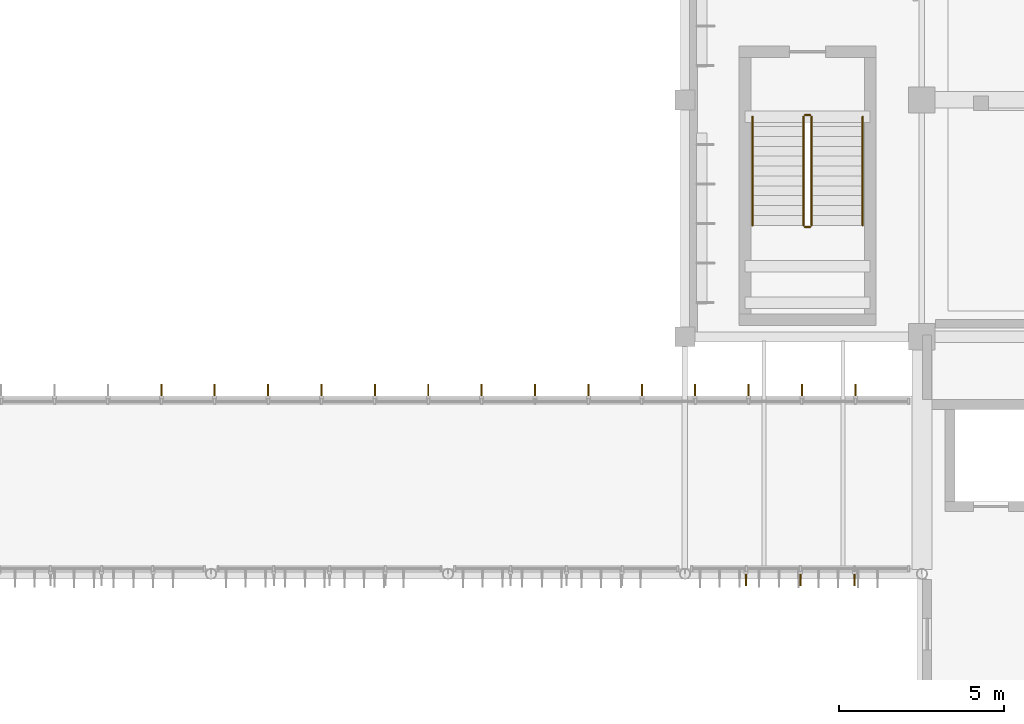
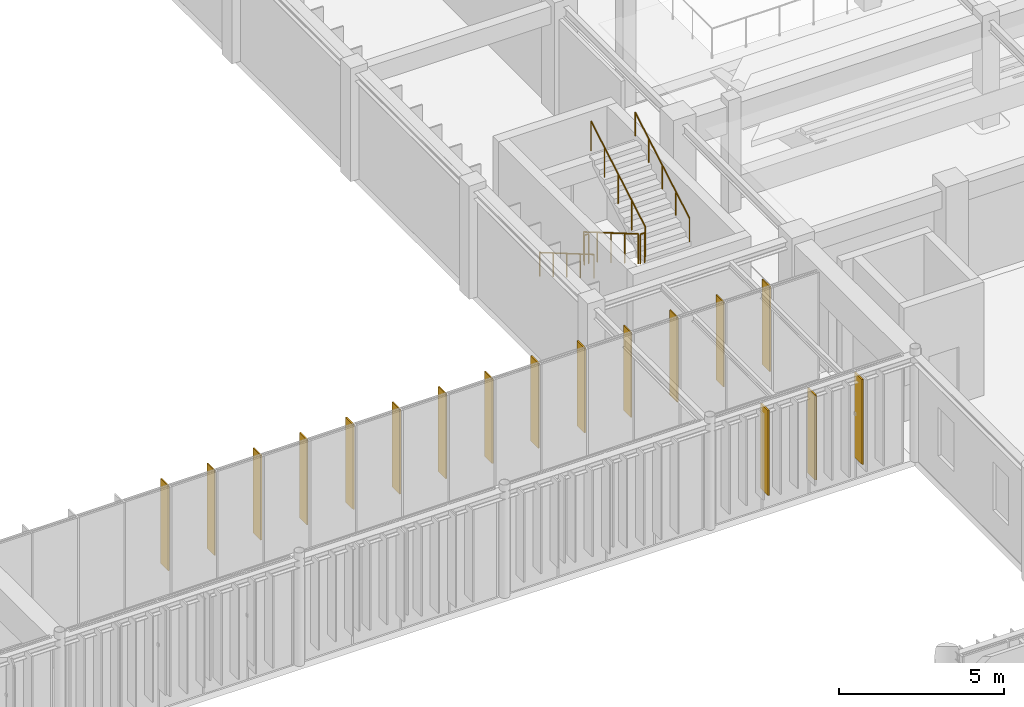
# One storey, part 108 of 122: 17 shading devices, 6 railings.
"""IFC4 building model written with IfcOpenShell, lengths in metres."""

from ifc_helpers import new_model, si_unit, direction, frame, origin, origin_2d, place, context, subcontext, project, spatial, rectangle, circle, extrude, material, layer, layer_set, material_profile, profile_set, type_object, element, save


model = new_model("IFC4")

# Units and contexts
model_context = context("Model", 3, precision=1e-05, world=origin(), true_north=direction((0.0, 1.0)))
body_context = subcontext(model_context, "Body", "Model", "MODEL_VIEW")
ifc_project = project(units=[si_unit("LENGTHUNIT", "METRE"), si_unit("AREAUNIT", "SQUARE_METRE"), si_unit("VOLUMEUNIT", "CUBIC_METRE"), si_unit("PLANEANGLEUNIT", "RADIAN"), si_unit("MASSUNIT", "GRAM", prefix="KILO")], contexts=[model_context])

# Site, building, storey
site_placement = place(None, origin())
site = spatial("IfcSite", under=ifc_project, at=site_placement, CompositionType="ELEMENT")
building_placement = place(site_placement, origin())
building = spatial("IfcBuilding", under=site, at=building_placement, Name="Tazoul Stagehouse", CompositionType="ELEMENT")
storey_placement = place(building_placement, frame((0.0, 0.0, 4.800048828125)))
storey = spatial("IfcBuildingStorey", under=building, at=storey_placement, Name="L01", CompositionType="ELEMENT", Elevation=4.800048828125)

# Shading devices
ifc_material_1 = material(Name="Anodised Bronze Aluminium 6063-T6", Category="aluminium")
ifc_layer_1 = layer(ifc_material_1, 0.050048828125, Name="Anodised Bronze Aluminium 6063-T6")
ifc_layer_set_1 = layer_set([ifc_layer_1], Name="Anodised Bronze Aluminium 6063-T6")
shading_device_type_1 = type_object("IfcShadingDeviceType", Name="Angled Acoustic Sun-Screen Blade 460", PredefinedType="USERDEFINED", material=ifc_layer_set_1)
for number, where, z_axis, x_axis, name in (
    (1, (52.259033203125, 44.469970703125, 0.75), (0.0, 0.0, 1.0), (1.0, 0.0, 0.0), "Shading Louvre FIN-02 CW-WLNK-S-L01-B4-SHD01"),
    (2, (55.552978515625, 44.469970703125, 0.75), (0.0, 0.0, 1.0), (1.0, 0.0, 0.0), "Shading Louvre FIN-02 CW-WLNK-S-L01-B4-SHD03"),
    (3, (36.111083984375, 50.1298828125, 0.75), (0.0, 0.0, 1.0), (1.0, 0.0, 0.0), "Shading Louvre FIN-02 CW-WLNK-N-L01-SHD05"),
    (4, (39.355712890625, 50.1298828125, 0.75), (0.0, 0.0, 1.0), (1.0, 0.0, 0.0), "Shading Louvre FIN-02 CW-WLNK-N-L01-SHD07"),
    (5, (42.60009765625, 50.1298828125, 0.75), (0.0, 0.0, 1.0), (1.0, 0.0, 0.0), "Shading Louvre FIN-02 CW-WLNK-N-L01-SHD09"),
    (6, (45.844482421875, 50.1298828125, 0.75), (0.0, 0.0, 1.0), (1.0, 0.0, 0.0), "Shading Louvre FIN-02 CW-WLNK-N-L01-SHD11"),
    (7, (49.0888671875, 50.1298828125, 0.75), (0.0, 0.0, 1.0), (1.0, 0.0, 0.0), "Shading Louvre FIN-02 CW-WLNK-N-L01-SHD13"),
    (8, (52.333251953125, 50.1298828125, 0.75), (0.0, 0.0, 1.0), (1.0, 0.0, 0.0), "Shading Louvre FIN-02 CW-WLNK-N-L01-SHD15"),
    (9, (55.577880859375, 50.1298828125, 0.75), (0.0, 0.0, 1.0), (1.0, 0.0, 0.0), "Shading Louvre FIN-02 CW-WLNK-N-L01-SHD17"),
):
    element("IfcShadingDevice", number, at=place(storey_placement, frame(where, z_axis=z_axis, x_axis=x_axis)), inside=storey, type_object=shading_device_type_1, Name=name, ObjectType="FIN", PredefinedType="USERDEFINED", context=body_context, shape_type="SweptSolid", body=[
        extrude(rectangle(XDim=0.044921875, YDim=0.4599609375, at=origin_2d()), origin(), (0.0, 0.0, 1.0), 3.14990234375),
    ])

# Railings
ifc_material_2 = material(Name="Brushed Stainless Steel 316L", Category="steel")
ifc_material_profile_1 = material_profile(ifc_material_2, circle(Radius=0.02392578125, at=origin_2d()), Name="SS RAIL D48")
ifc_profile_set_1 = profile_set([ifc_material_profile_1], Name="Brushed Stainless Steel 316L")
railing_type_1 = type_object("IfcRailingType", Name="Architectural Guardrail H1120", PredefinedType="GUARDRAIL", material=ifc_profile_set_1)
railing_1_placement = place(storey_placement, frame((54.0, 58.489990234375, 0.175048828125)))
element("IfcRailing", 10, at=railing_1_placement, inside=storey, type_object=railing_type_1, Name="L01 ST-05 stair guard 1", PredefinedType="GUARDRAIL", context=body_context, shape_type="SweptSolid", body=[
    extrude(circle(Radius=0.02392578125, at=origin_2d()), frame((0.0, 0.0, 1.09619140625), z_axis=(0.0, -0.863804395585, 0.503827317807), x_axis=(1.0, 0.0, 0.0)), (0.0, 0.0, 1.0), 3.8203125),
    extrude(circle(Radius=0.02099609375, at=origin_2d()), origin(), (0.0, 0.0, 1.0), 1.072021484375),
    extrude(circle(Radius=0.02099609375, at=origin_2d()), frame((0.0, -0.824951171875, 0.481201171875)), (0.0, 0.0, 1.0), 1.072021484375),
    extrude(circle(Radius=0.02099609375, at=origin_2d()), frame((0.0, -1.64990234375, 0.96240234375)), (0.0, 0.0, 1.0), 1.072021484375),
    extrude(circle(Radius=0.02099609375, at=origin_2d()), frame((0.0, -2.47509765625, 1.443603515625)), (0.0, 0.0, 1.0), 1.072021484375),
    extrude(circle(Radius=0.02099609375, at=origin_2d()), frame((0.0, -3.300048828125, 1.9248046875)), (0.0, 0.0, 1.0), 1.072021484375),
])
railing_2_placement = place(storey_placement, frame((54.050048828125, 55.139892578125, 2.099853515625)))
element("IfcRailing", 11, at=railing_2_placement, inside=storey, type_object=railing_type_1, Name="L01 ST-05 stair guard 2", PredefinedType="GUARDRAIL", context=body_context, shape_type="SweptSolid", body=[
    extrude(circle(Radius=0.02392578125, at=origin_2d()), frame((0.0, 0.0, 1.09619140625), z_axis=(1.0, 0.0, 0.0), x_axis=(0.0, 1.0, 0.0)), (0.0, 0.0, 1.0), 0.14990234375),
    extrude(circle(Radius=0.02099609375, at=origin_2d()), origin(), (0.0, 0.0, 1.0), 1.072021484375),
    extrude(circle(Radius=0.02099609375, at=origin_2d()), frame((0.14990234375, 0.0, 0.0)), (0.0, 0.0, 1.0), 1.072021484375),
])
railing_3_placement = place(storey_placement, frame((54.25, 55.18994140625, 2.27490234375)))
element("IfcRailing", 12, at=railing_3_placement, inside=storey, type_object=railing_type_1, Name="L01 ST-05 stair guard 3", PredefinedType="GUARDRAIL", context=body_context, shape_type="SweptSolid", body=[
    extrude(circle(Radius=0.02392578125, at=origin_2d()), frame((0.0, 0.0, 1.09619140625), z_axis=(0.0, 0.863776583165, 0.503874998761), x_axis=(-1.0, 0.0, 0.0)), (0.0, 0.0, 1.0), 3.820556640625),
    extrude(circle(Radius=0.02099609375, at=origin_2d()), origin(), (0.0, 0.0, 1.0), 1.072021484375),
    extrude(circle(Radius=0.02099609375, at=origin_2d()), frame((0.0, 0.824951171875, 0.481201171875)), (0.0, 0.0, 1.0), 1.072021484375),
    extrude(circle(Radius=0.02099609375, at=origin_2d()), frame((0.0, 1.64990234375, 0.96240234375)), (0.0, 0.0, 1.0), 1.072021484375),
    extrude(circle(Radius=0.02099609375, at=origin_2d()), frame((0.0, 2.47509765625, 1.44384765625)), (0.0, 0.0, 1.0), 1.072021484375),
    extrude(circle(Radius=0.02099609375, at=origin_2d()), frame((0.0, 3.300048828125, 1.925048828125)), (0.0, 0.0, 1.0), 1.072021484375),
])
railing_4_placement = place(storey_placement, frame((54.050048828125, 58.5400390625, 0.0)))
element("IfcRailing", 13, at=railing_4_placement, inside=storey, type_object=railing_type_1, Name="L01 ST-05 stair guard 4", PredefinedType="GUARDRAIL", context=body_context, shape_type="SweptSolid", body=[
    extrude(circle(Radius=0.02392578125, at=origin_2d()), frame((0.0, 0.0, 1.09619140625), z_axis=(1.0, 0.0, 0.0), x_axis=(0.0, 1.0, 0.0)), (0.0, 0.0, 1.0), 0.14990234375),
    extrude(circle(Radius=0.02099609375, at=origin_2d()), origin(), (0.0, 0.0, 1.0), 1.072021484375),
    extrude(circle(Radius=0.02099609375, at=origin_2d()), frame((0.14990234375, 0.0, 0.0)), (0.0, 0.0, 1.0), 1.072021484375),
])
ifc_material_profile_2 = material_profile(ifc_material_2, circle(Radius=0.02099609375, at=origin_2d()), Name="SS HANDRAIL D42")
ifc_profile_set_2 = profile_set([ifc_material_profile_2], Name="Brushed Stainless Steel 316L")
railing_type_2 = type_object("IfcRailingType", Name="Continuous Stair Handrail H900", PredefinedType="HANDRAIL", material=ifc_profile_set_2)
railing_5_placement = place(storey_placement, frame((52.449951171875, 58.489990234375, 0.175048828125)))
element("IfcRailing", 14, at=railing_5_placement, inside=storey, type_object=railing_type_2, Name="L01 ST-05 stair handrail 1", PredefinedType="HANDRAIL", context=body_context, shape_type="SweptSolid", body=[
    extrude(circle(Radius=0.02392578125, at=origin_2d()), frame((0.0, 0.0, 0.8759765625), z_axis=(0.0, -0.863804395585, 0.503827317807), x_axis=(1.0, 0.0, 0.0)), (0.0, 0.0, 1.0), 3.8203125),
    extrude(circle(Radius=0.02099609375, at=origin_2d()), origin(), (0.0, 0.0, 1.0), 0.851806640625),
    extrude(circle(Radius=0.02099609375, at=origin_2d()), frame((0.0, -0.824951171875, 0.481201171875)), (0.0, 0.0, 1.0), 0.851806640625),
    extrude(circle(Radius=0.02099609375, at=origin_2d()), frame((0.0, -1.64990234375, 0.96240234375)), (0.0, 0.0, 1.0), 0.851806640625),
    extrude(circle(Radius=0.02099609375, at=origin_2d()), frame((0.0, -2.47509765625, 1.443603515625)), (0.0, 0.0, 1.0), 0.851806640625),
    extrude(circle(Radius=0.02099609375, at=origin_2d()), frame((0.0, -3.300048828125, 1.9248046875)), (0.0, 0.0, 1.0), 0.851806640625),
])
railing_6_placement = place(storey_placement, frame((55.800048828125, 55.18994140625, 2.27490234375)))
element("IfcRailing", 15, at=railing_6_placement, inside=storey, type_object=railing_type_2, Name="L01 ST-05 stair handrail 2", PredefinedType="HANDRAIL", context=body_context, shape_type="SweptSolid", body=[
    extrude(circle(Radius=0.02392578125, at=origin_2d()), frame((0.0, 0.0, 0.8759765625), z_axis=(0.0, 0.863776583165, 0.503874998761), x_axis=(-1.0, 0.0, 0.0)), (0.0, 0.0, 1.0), 3.820556640625),
    extrude(circle(Radius=0.02099609375, at=origin_2d()), origin(), (0.0, 0.0, 1.0), 0.851806640625),
    extrude(circle(Radius=0.02099609375, at=origin_2d()), frame((0.0, 0.824951171875, 0.481201171875)), (0.0, 0.0, 1.0), 0.851806640625),
    extrude(circle(Radius=0.02099609375, at=origin_2d()), frame((0.0, 1.64990234375, 0.96240234375)), (0.0, 0.0, 1.0), 0.851806640625),
    extrude(circle(Radius=0.02099609375, at=origin_2d()), frame((0.0, 2.47509765625, 1.44384765625)), (0.0, 0.0, 1.0), 0.851806640625),
    extrude(circle(Radius=0.02099609375, at=origin_2d()), frame((0.0, 3.300048828125, 1.925048828125)), (0.0, 0.0, 1.0), 0.851806640625),
])

# Shading devices
ifc_layer_2 = layer(ifc_material_1, 0.044921875, Name="Anodised Bronze Aluminium 6063-T6")
ifc_layer_set_2 = layer_set([ifc_layer_2], Name="Anodised Bronze Aluminium 6063-T6")
shading_device_type_2 = type_object("IfcShadingDeviceType", Name="Vertical Extruded Terracotta-Bronze Louvre 460", PredefinedType="JALOUSIE", material=ifc_layer_set_2)
for number, where, z_axis, x_axis, name in (
    (16, (53.906005859375, 44.469970703125, 0.75), (0.0, 0.0, 1.0), (1.0, 0.0, 0.0), "Shading Louvre FIN-01 CW-WLNK-S-L01-B4-SHD02"),
    (17, (34.489013671875, 50.1298828125, 0.75), (0.0, 0.0, 1.0), (1.0, 0.0, 0.0), "Shading Louvre FIN-01 CW-WLNK-N-L01-SHD04"),
    (18, (37.7333984375, 50.1298828125, 0.75), (0.0, 0.0, 1.0), (1.0, 0.0, 0.0), "Shading Louvre FIN-01 CW-WLNK-N-L01-SHD06"),
    (19, (40.977783203125, 50.1298828125, 0.75), (0.0, 0.0, 1.0), (1.0, 0.0, 0.0), "Shading Louvre FIN-01 CW-WLNK-N-L01-SHD08"),
    (20, (44.22216796875, 50.1298828125, 0.75), (0.0, 0.0, 1.0), (1.0, 0.0, 0.0), "Shading Louvre FIN-01 CW-WLNK-N-L01-SHD10"),
    (21, (47.466796875, 50.1298828125, 0.75), (0.0, 0.0, 1.0), (1.0, 0.0, 0.0), "Shading Louvre FIN-01 CW-WLNK-N-L01-SHD12"),
    (22, (50.711181640625, 50.1298828125, 0.75), (0.0, 0.0, 1.0), (1.0, 0.0, 0.0), "Shading Louvre FIN-01 CW-WLNK-N-L01-SHD14"),
    (23, (53.95556640625, 50.1298828125, 0.75), (0.0, 0.0, 1.0), (1.0, 0.0, 0.0), "Shading Louvre FIN-01 CW-WLNK-N-L01-SHD16"),
):
    element("IfcShadingDevice", number, at=place(storey_placement, frame(where, z_axis=z_axis, x_axis=x_axis)), inside=storey, type_object=shading_device_type_2, Name=name, PredefinedType="JALOUSIE", context=body_context, shape_type="SweptSolid", body=[
        extrude(rectangle(XDim=0.044921875, YDim=0.4599609375, at=origin_2d()), origin(), (0.0, 0.0, 1.0), 3.14990234375),
    ])

save(model, "model.ifc")
